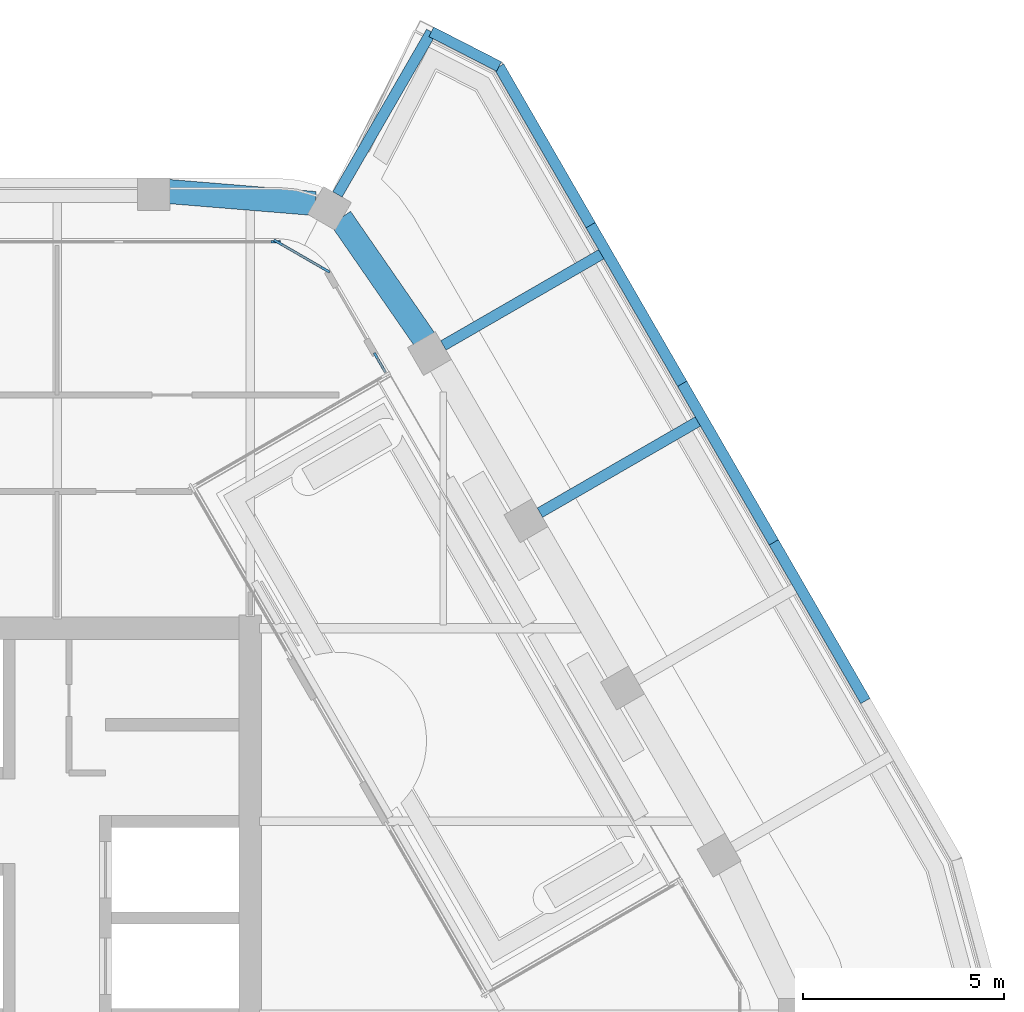
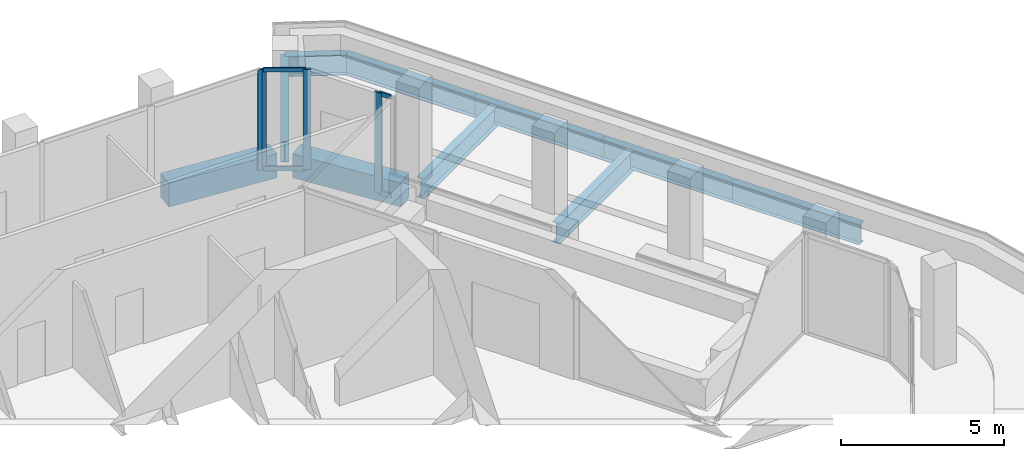
# One storey, part 7 of 17: 10 beams, 8 members, 3 elements without a shape of their own.
"""IFC4 building model written with IfcOpenShell, lengths in metres."""

from ifc_helpers import new_model, si_unit, direction, frame, origin, origin_2d, place, context, subcontext, project, spatial, rectangle, i_section, extrude, material, material_profile, profile_set, type_object, element, aggregate, save


model = new_model("IFC4")

# Units and contexts
model_context = context("Model", 3, precision=1e-05, world=origin(), true_north=direction((0.0, 1.0)))
body_context = subcontext(model_context, "Body", "Model", "MODEL_VIEW")
ifc_project = project(units=[si_unit("LENGTHUNIT", "METRE"), si_unit("AREAUNIT", "SQUARE_METRE"), si_unit("VOLUMEUNIT", "CUBIC_METRE"), si_unit("PLANEANGLEUNIT", "RADIAN"), si_unit("MASSUNIT", "GRAM", prefix="KILO")], contexts=[model_context])

# Site, building, storey
site_placement = place(None, origin())
site = spatial("IfcSite", under=ifc_project, at=site_placement, CompositionType="ELEMENT")
building_placement = place(site_placement, origin())
building = spatial("IfcBuilding", under=site, at=building_placement, Name="Kolab Exchange Tower", CompositionType="ELEMENT")
storey_placement = place(building_placement, frame((0.0, 0.0, 285.199951171875)))
storey = spatial("IfcBuildingStorey", under=building, at=storey_placement, Name="L64", CompositionType="ELEMENT", Elevation=285.199951171875)

# Beams
ifc_material_1 = material(Name="Steel S355", Category="steel")
ifc_material_profile_1 = material_profile(ifc_material_1, i_section(OverallWidth=0.26708984375, OverallDepth=0.761962890625, WebThickness=0.014404296875, FlangeThickness=0.021484375, at=origin_2d()), Name="W760X173")
ifc_profile_set_1 = profile_set([ifc_material_profile_1], Name="Steel S355")
beam_type_1 = type_object("IfcBeamType", Name="FLOOR GIRDER W760X173", PredefinedType="BEAM", material=ifc_profile_set_1)
beam_1_placement = place(storey_placement, frame((11.767822265625, 20.3828125, -0.591064453125), z_axis=(0.500043984474, 0.866000007847, 0.0), x_axis=(-0.866000007847, 0.500043984474, 0.0)))
element("IfcBeam", 1, at=beam_1_placement, inside=storey, type_object=beam_type_1, Name="beam/L64/ledge/rib-00", PredefinedType="BEAM", context=body_context, shape_type="SweptSolid", body=[
    extrude(i_section(OverallWidth=0.26708984375, OverallDepth=0.761962890625, WebThickness=0.014404296875, FlangeThickness=0.021484375, at=origin_2d()), origin(), (0.0, 0.0, 1.0), 4.66650390625),
])
beam_2_placement = place(storey_placement, frame((14.39990234375, 16.627685546875, -0.591064453125), z_axis=(0.866020560687, 0.500008388397, 0.0), x_axis=(-0.500008388397, 0.866020560687, 0.0)))
element("IfcBeam", 2, at=beam_2_placement, inside=storey, type_object=beam_type_1, Name="beam/L64/ledge/rib-01", PredefinedType="BEAM", context=body_context, shape_type="SweptSolid", body=[
    extrude(i_section(OverallWidth=0.26708984375, OverallDepth=0.761962890625, WebThickness=0.014404296875, FlangeThickness=0.021484375, at=origin_2d()), origin(), (0.0, 0.0, 1.0), 4.533203125),
])
beam_3_placement = place(storey_placement, frame((16.800048828125, 12.470703125, -0.591064453125), z_axis=(0.866007095043, 0.500031710329, 0.0), x_axis=(-0.500031710329, 0.866007095043, 0.0)))
element("IfcBeam", 3, at=beam_3_placement, inside=storey, type_object=beam_type_1, Name="beam/L64/ledge/rib-02", PredefinedType="BEAM", context=body_context, shape_type="SweptSolid", body=[
    extrude(i_section(OverallWidth=0.26708984375, OverallDepth=0.761962890625, WebThickness=0.014404296875, FlangeThickness=0.021484375, at=origin_2d()), origin(), (0.0, 0.0, 1.0), 4.532958984375),
])
beam_4_placement = place(storey_placement, frame((14.101318359375, 24.42431640625, -0.591064453125), z_axis=(0.889892665835, -0.456169971933, 0.0), x_axis=(0.456169971933, 0.889892665835, 0.0)))
element("IfcBeam", 4, at=beam_4_placement, inside=storey, type_object=beam_type_1, Name="beam/L64/ledge/edge-00", PredefinedType="BEAM", context=body_context, shape_type="SweptSolid", body=[
    extrude(i_section(OverallWidth=0.26708984375, OverallDepth=0.761962890625, WebThickness=0.014404296875, FlangeThickness=0.021484375, at=origin_2d()), origin(), (0.0, 0.0, 1.0), 1.892333984375),
])
beam_5_placement = place(storey_placement, frame((15.785400390625, 23.56103515625, -0.591064453125), z_axis=(0.500014901547, -0.866016800201, 0.0), x_axis=(0.866016800201, 0.500014901547, 0.0)))
element("IfcBeam", 5, at=beam_5_placement, inside=storey, type_object=beam_type_1, Name="beam/L64/ledge/edge-01", PredefinedType="BEAM", context=body_context, shape_type="SweptSolid", body=[
    extrude(i_section(OverallWidth=0.26708984375, OverallDepth=0.761962890625, WebThickness=0.014404296875, FlangeThickness=0.021484375, at=origin_2d()), origin(), (0.0, 0.0, 1.0), 4.552490234375),
])
beam_6_placement = place(storey_placement, frame((18.061767578125, 19.618408203125, -0.591064453125), z_axis=(0.499997902498, -0.866026614774, 0.0), x_axis=(0.866026614774, 0.499997902498, 0.0)))
element("IfcBeam", 6, at=beam_6_placement, inside=storey, type_object=beam_type_1, Name="beam/L64/ledge/edge-02", PredefinedType="BEAM", context=body_context, shape_type="SweptSolid", body=[
    extrude(i_section(OverallWidth=0.26708984375, OverallDepth=0.761962890625, WebThickness=0.014404296875, FlangeThickness=0.021484375, at=origin_2d()), origin(), (0.0, 0.0, 1.0), 4.55224609375),
])
for number, where, z_axis, x_axis, name in (
    (7, (20.337890625, 15.676025390625, -0.591064453125), (0.499974680739, -0.866040021373, 0.0), (0.866040021373, 0.499974680739, 0.0), "beam/L64/ledge/edge-03"),
    (8, (22.614013671875, 11.7333984375, -0.591064453125), (0.500038123928, -0.866003391805, 0.0), (0.866003391805, 0.500038123928, 0.0), "beam/L64/ledge/edge-04"),
):
    element("IfcBeam", number, at=place(storey_placement, frame(where, z_axis=z_axis, x_axis=x_axis)), inside=storey, type_object=beam_type_1, Name=name, PredefinedType="BEAM", context=body_context, shape_type="SweptSolid", body=[
        extrude(i_section(OverallWidth=0.26708984375, OverallDepth=0.761962890625, WebThickness=0.014404296875, FlangeThickness=0.021484375, at=origin_2d()), origin(), (0.0, 0.0, 1.0), 4.552490234375),
    ])
ifc_material_2 = material(Name="Concrete C50/60", Category="concrete")
ifc_material_profile_2 = material_profile(ifc_material_2, rectangle(XDim=0.60009765625, YDim=0.89990234375, at=origin_2d()), Name="RC600X900")
ifc_profile_set_2 = profile_set([ifc_material_profile_2], Name="Concrete C50/60")
beam_type_2 = type_object("IfcBeamType", Name="SPANDREL BEAM 600X900 C50/60", PredefinedType="BEAM", material=ifc_profile_set_2)
for number, where, z_axis, x_axis, name in (
    (9, (7.56005859375, 20.455078125, -0.599853515625), (0.996666751878, -0.081580547323, 0.0), (0.081580547323, 0.996666751878, 0.0), "beam/L64/sp/F1-05"),
    (10, (11.846923828125, 19.7919921875, -0.599853515625), (0.569005808573, -0.822333502789, 0.0), (0.822333502789, 0.569005808573, 0.0), "beam/L64/sp/F2-01"),
):
    element("IfcBeam", number, at=place(storey_placement, frame(where, z_axis=z_axis, x_axis=x_axis)), inside=storey, type_object=beam_type_2, Name=name, PredefinedType="BEAM", context=body_context, shape_type="SweptSolid", body=[
        extrude(rectangle(XDim=0.60009765625, YDim=0.89990234375, at=origin_2d()), origin(), (0.0, 0.0, 1.0), 3.6689453125),
    ])

# Curtain wall, member
ifc_material_3 = material(Name="Aluminium EN AW-6063 T6", Category="aluminium")
curtain_wall_type = type_object("IfcCurtainWallType", Name="UNITISED HIGH ZONE CURTAIN WALL", PredefinedType="NOTDEFINED", material=ifc_material_3)
curtain_wall_1_placement = place(storey_placement, origin())
curtain_wall_1 = element("IfcCurtainWall", 11, at=curtain_wall_1_placement, inside=storey, type_object=curtain_wall_type, Name="cw/L64/F1-2", PredefinedType="NOTDEFINED")
ifc_material_profile_3 = material_profile(ifc_material_3, rectangle(XDim=0.06005859375, YDim=0.239990234375, at=origin_2d()), Name="RECT 60X240")
ifc_profile_set_3 = profile_set([ifc_material_profile_3], Name="Aluminium EN AW-6063 T6")
member_type_1 = type_object("IfcMemberType", Name="UNITISED HIGH ZONE MULLION 60 X 240", PredefinedType="MULLION", material=ifc_profile_set_3)
member_1_placement = place(storey_placement, frame((10.238037109375, 19.20458984375, 0.0), z_axis=(0.0, 0.0, 1.0), x_axis=(0.0, 1.0, 0.0)))
member_1 = element("IfcMember", 12, at=member_1_placement, type_object=member_type_1, Name="CW4 mullion 3", PredefinedType="MULLION", context=body_context, shape_type="SweptSolid", body=[
    extrude(rectangle(XDim=0.06005859375, YDim=0.239990234375, at=origin_2d()), origin(), (0.0, 0.0, 1.0), 3.75),
])
aggregate(curtain_wall_1, [member_1])

curtain_wall_2_placement = place(storey_placement, origin())
curtain_wall_2 = element("IfcCurtainWall", 13, at=curtain_wall_2_placement, inside=storey, type_object=curtain_wall_type, Name="cw/L64/F2-l-1", PredefinedType="NOTDEFINED")
member_2_placement = place(storey_placement, frame((12.74267578125, 16.338134765625, 0.0), z_axis=(0.0, 0.0, 1.0), x_axis=(0.866025350788, 0.500000091793, 0.0)))
member_2 = element("IfcMember", 14, at=member_2_placement, type_object=member_type_1, Name="CW4 mullion 1", PredefinedType="MULLION", context=body_context, shape_type="SweptSolid", body=[
    extrude(rectangle(XDim=0.06005859375, YDim=0.239990234375, at=origin_2d()), origin(), (0.0, 0.0, 1.0), 3.75),
])

# Curtain wall, members
curtain_wall_3_placement = place(storey_placement, origin())
curtain_wall_3 = element("IfcCurtainWall", 15, at=curtain_wall_3_placement, inside=storey, type_object=curtain_wall_type, Name="cw/L64/F1F2-corner", PredefinedType="NOTDEFINED")
member_3_placement = place(storey_placement, frame((10.2939453125, 19.189697265625, 0.0), z_axis=(0.0, 0.0, 1.0), x_axis=(0.50000002237, 0.866025390869, 0.0)))
member_3 = element("IfcMember", 16, at=member_3_placement, type_object=member_type_1, Name="CW4 mullion 1", PredefinedType="MULLION", context=body_context, shape_type="SweptSolid", body=[
    extrude(rectangle(XDim=0.06005859375, YDim=0.239990234375, at=origin_2d()), origin(), (0.0, 0.0, 1.0), 3.75),
])
member_4_placement = place(storey_placement, frame((11.4716796875, 18.509521484375, 0.0), z_axis=(0.0, 0.0, 1.0), x_axis=(0.50000002237, 0.866025390869, 0.0)))
member_4 = element("IfcMember", 17, at=member_4_placement, type_object=member_type_1, Name="CW4 mullion 2", PredefinedType="MULLION", context=body_context, shape_type="SweptSolid", body=[
    extrude(rectangle(XDim=0.06005859375, YDim=0.239990234375, at=origin_2d()), origin(), (0.0, 0.0, 1.0), 3.75),
])

# Member
ifc_material_profile_4 = material_profile(ifc_material_3, rectangle(XDim=0.06005859375, YDim=0.159912109375, at=origin_2d()), Name="RECT 60X160")
ifc_profile_set_4 = profile_set([ifc_material_profile_4], Name="Aluminium EN AW-6063 T6")
member_type_2 = type_object("IfcMemberType", Name="UNITISED HIGH ZONE TRANSOM 60 X 160", PredefinedType="USERDEFINED", material=ifc_profile_set_4)
member_5_placement = place(storey_placement, frame((12.7578125, 16.312255859375, 0.030029296875), z_axis=(0.499808815652, -0.866135755986, 0.0), x_axis=(0.866135755986, 0.499808815652, 0.0)))
member_5 = element("IfcMember", 18, at=member_5_placement, type_object=member_type_2, Name="CW4 transom 1.1", ObjectType="TRANSOM", PredefinedType="USERDEFINED", context=body_context, shape_type="SweptSolid", body=[
    extrude(rectangle(XDim=0.06005859375, YDim=0.159912109375, at=origin_2d()), origin(), (0.0, 0.0, 1.0), 0.407958984375),
])

member_6_placement = place(storey_placement, frame((12.7578125, 16.312255859375, 3.719970703125), z_axis=(0.499808815652, -0.866135755986, 0.0), x_axis=(0.866135755986, 0.499808815652, 0.0)))
member_6 = element("IfcMember", 19, at=member_6_placement, type_object=member_type_2, Name="CW4 transom 1.2", ObjectType="TRANSOM", PredefinedType="USERDEFINED", context=body_context, shape_type="SweptSolid", body=[
    extrude(rectangle(XDim=0.06005859375, YDim=0.159912109375, at=origin_2d()), origin(), (0.0, 0.0, 1.0), 0.407958984375),
])

aggregate(curtain_wall_2, [member_2, member_5, member_6])

member_7_placement = place(storey_placement, frame((10.31982421875, 19.174560546875, 0.030029296875), z_axis=(0.866085525409, -0.49989585183, 0.0), x_axis=(0.49989585183, 0.866085525409, 0.0)))
member_7 = element("IfcMember", 20, at=member_7_placement, type_object=member_type_2, Name="CW4 transom 1.1", ObjectType="TRANSOM", PredefinedType="USERDEFINED", context=body_context, shape_type="SweptSolid", body=[
    extrude(rectangle(XDim=0.06005859375, YDim=0.159912109375, at=origin_2d()), origin(), (0.0, 0.0, 1.0), 1.300048828125),
])

member_8_placement = place(storey_placement, frame((10.31982421875, 19.174560546875, 3.719970703125), z_axis=(0.866085525409, -0.49989585183, 0.0), x_axis=(0.49989585183, 0.866085525409, 0.0)))
member_8 = element("IfcMember", 21, at=member_8_placement, type_object=member_type_2, Name="CW4 transom 1.2", ObjectType="TRANSOM", PredefinedType="USERDEFINED", context=body_context, shape_type="SweptSolid", body=[
    extrude(rectangle(XDim=0.06005859375, YDim=0.159912109375, at=origin_2d()), origin(), (0.0, 0.0, 1.0), 1.300048828125),
])

aggregate(curtain_wall_3, [member_3, member_4, member_7, member_8])

save(model, "model.ifc")
